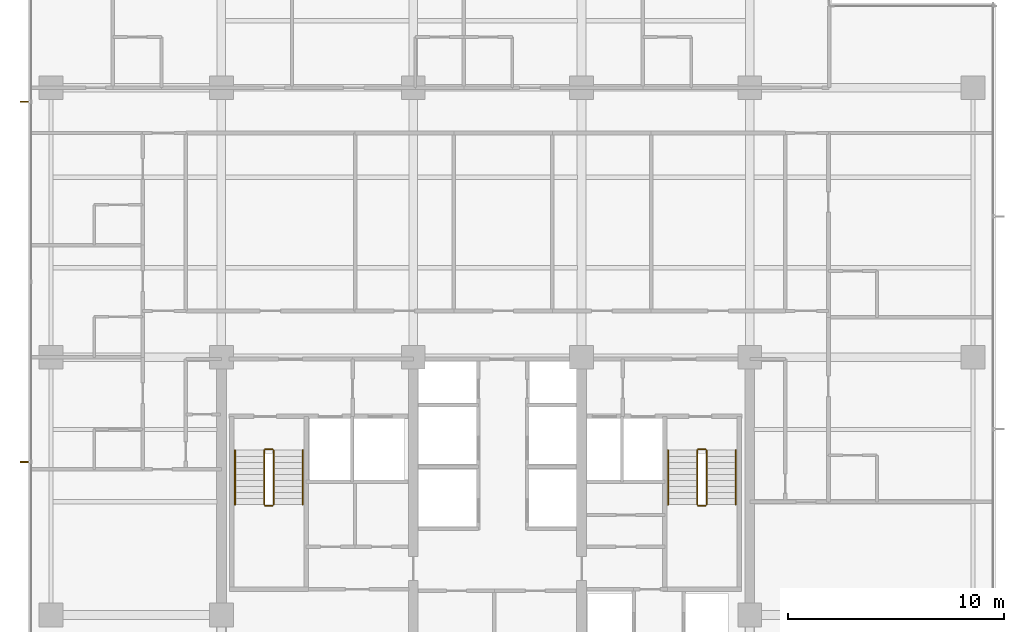
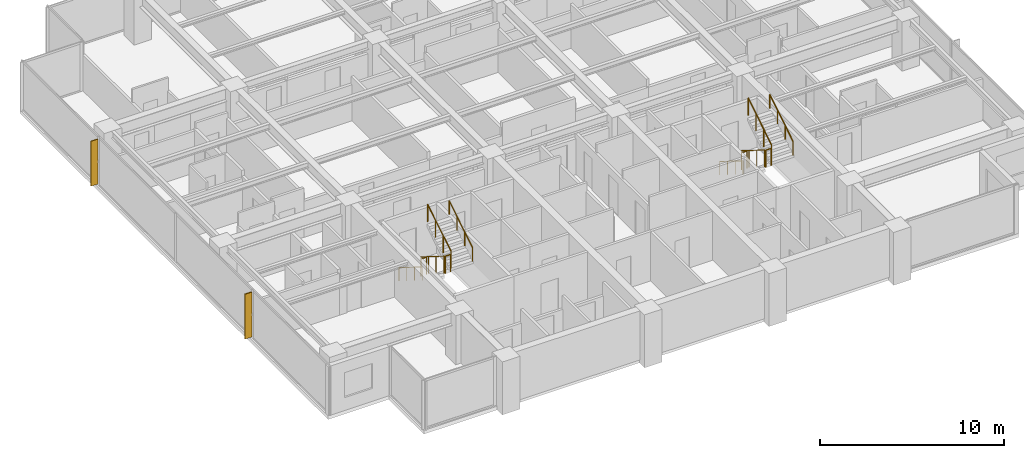
# One storey, part 15 of 16: 12 railings, 2 shading devices.
"""IFC4 building model written with IfcOpenShell, lengths in metres."""

from ifc_helpers import new_model, si_unit, direction, frame, origin, origin_2d, place, context, subcontext, project, spatial, polyline, circle, outline, extrude, material, layer, layer_set, type_object, element, save


model = new_model("IFC4")

# Units and contexts
model_context = context("Model", 3, precision=1e-05, world=origin(), true_north=direction((0.0, 1.0)))
body_context = subcontext(model_context, "Body", "Model", "MODEL_VIEW")
ifc_project = project(units=[si_unit("LENGTHUNIT", "METRE"), si_unit("AREAUNIT", "SQUARE_METRE"), si_unit("VOLUMEUNIT", "CUBIC_METRE"), si_unit("PLANEANGLEUNIT", "RADIAN"), si_unit("MASSUNIT", "GRAM", prefix="KILO")], contexts=[model_context])

# Site, building, storey
site_placement = place(None, origin())
site = spatial("IfcSite", under=ifc_project, at=site_placement, CompositionType="ELEMENT")
building_placement = place(site_placement, origin())
building = spatial("IfcBuilding", under=site, at=building_placement, Name="Qalmaran Belvedere Hotel", CompositionType="ELEMENT")
storey_placement = place(building_placement, frame((0.0, 0.0, 145.60009765625)))
storey = spatial("IfcBuildingStorey", under=building, at=storey_placement, Name="L36", CompositionType="ELEMENT", Elevation=145.60009765625)

# Shading devices
ifc_material_1 = material(Name="Anodised Bronze Aluminium", Category="aluminium")
ifc_layer = layer(ifc_material_1, 0.06494140625, Name="Anodised Bronze Aluminium")
ifc_layer_set = layer_set([ifc_layer], Name="Anodised Bronze Aluminium")
shading_device_type = type_object("IfcShadingDeviceType", Name="FIN-BRNZ-420", PredefinedType="USERDEFINED", material=ifc_layer_set)
shading_device_1_placement = place(storey_placement, frame((0.0, 0.0, 0.159912109375)))
element("IfcShadingDevice", 1, at=shading_device_1_placement, inside=storey, type_object=shading_device_type, Name="L36 Bronze Fin 1", ObjectType="FIN", PredefinedType="USERDEFINED", context=body_context, shape_type="SweptSolid", body=[
    extrude(outline(polyline([(11.3798828125, 32.382568359375), (10.9599609375, 32.382568359375), (10.9599609375, 32.3173828125), (11.3798828125, 32.3173828125), (11.3798828125, 32.382568359375)])), origin(), (0.0, 0.0, 1.0), 2.969970703125),
])
shading_device_2_placement = place(storey_placement, frame((0.0, 0.0, 0.159912109375)))
element("IfcShadingDevice", 2, at=shading_device_2_placement, inside=storey, type_object=shading_device_type, Name="L36 Bronze Fin 3", ObjectType="FIN", PredefinedType="USERDEFINED", context=body_context, shape_type="SweptSolid", body=[
    extrude(outline(polyline([(11.3798828125, 15.6826171875), (10.9599609375, 15.6826171875), (10.9599609375, 15.617431640625), (11.3798828125, 15.617431640625), (11.3798828125, 15.6826171875)])), origin(), (0.0, 0.0, 1.0), 2.969970703125),
])

# Railings
ifc_material_2 = material(Name="Stainless Steel 1.4401", Category="steel")
railing_type_1 = type_object("IfcRailingType", Name="RLG-STAIR-GUARD-1150", PredefinedType="GUARDRAIL", material=ifc_material_2)
railing_1_placement = place(storey_placement, frame((22.280029296875, 16.18994140625, 0.1748046875)))
element("IfcRailing", 3, at=railing_1_placement, inside=storey, type_object=railing_type_1, Name="L36 ST-1 stair guard 1", PredefinedType="GUARDRAIL", context=body_context, shape_type="SweptSolid", body=[
    extrude(circle(Radius=0.02392578125, at=origin_2d()), frame((0.0, 0.0, 1.1259765625), z_axis=(0.0, -0.847970611238, 0.530043245855), x_axis=(1.0, 0.0, 0.0)), (0.0, 0.0, 1.0), 2.971923828125),
    extrude(circle(Radius=0.02099609375, at=origin_2d()), origin(), (0.0, 0.0, 1.0), 1.101806640625),
    extrude(circle(Radius=0.02099609375, at=origin_2d()), frame((0.0, -0.840087890625, 0.525146484375)), (0.0, 0.0, 1.0), 1.101806640625),
    extrude(circle(Radius=0.02099609375, at=origin_2d()), frame((0.0, -1.679931640625, 1.050048828125)), (0.0, 0.0, 1.0), 1.101806640625),
    extrude(circle(Radius=0.02099609375, at=origin_2d()), frame((0.0, -2.52001953125, 1.5751953125)), (0.0, 0.0, 1.0), 1.101806640625),
])
railing_2_placement = place(storey_placement, frame((22.330078125, 13.6201171875, 1.75)))
element("IfcRailing", 4, at=railing_2_placement, inside=storey, type_object=railing_type_1, Name="L36 ST-1 stair guard 2", PredefinedType="GUARDRAIL", context=body_context, shape_type="SweptSolid", body=[
    extrude(circle(Radius=0.02392578125, at=origin_2d()), frame((0.0, 0.0, 1.1259765625), z_axis=(1.0, 0.0, 0.0), x_axis=(0.0, 1.0, 0.0)), (0.0, 0.0, 1.0), 0.33984375),
    extrude(circle(Radius=0.02099609375, at=origin_2d()), origin(), (0.0, 0.0, 1.0), 1.101806640625),
    extrude(circle(Radius=0.02099609375, at=origin_2d()), frame((0.33984375, 0.0, 0.0)), (0.0, 0.0, 1.0), 1.101806640625),
])
railing_3_placement = place(storey_placement, frame((22.719970703125, 13.669921875, 1.9248046875)))
element("IfcRailing", 5, at=railing_3_placement, inside=storey, type_object=railing_type_1, Name="L36 ST-1 stair guard 3", PredefinedType="GUARDRAIL", context=body_context, shape_type="SweptSolid", body=[
    extrude(circle(Radius=0.02392578125, at=origin_2d()), frame((0.0, 0.0, 1.1259765625), z_axis=(0.0, 0.847970611238, 0.530043245855), x_axis=(-1.0, 0.0, 0.0)), (0.0, 0.0, 1.0), 2.971923828125),
    extrude(circle(Radius=0.02099609375, at=origin_2d()), origin(), (0.0, 0.0, 1.0), 1.101806640625),
    extrude(circle(Radius=0.02099609375, at=origin_2d()), frame((0.0, 0.840087890625, 0.525146484375)), (0.0, 0.0, 1.0), 1.101806640625),
    extrude(circle(Radius=0.02099609375, at=origin_2d()), frame((0.0, 1.679931640625, 1.050048828125)), (0.0, 0.0, 1.0), 1.101806640625),
    extrude(circle(Radius=0.02099609375, at=origin_2d()), frame((0.0, 2.52001953125, 1.5751953125)), (0.0, 0.0, 1.0), 1.101806640625),
])
railing_4_placement = place(storey_placement, frame((22.330078125, 16.239990234375, 0.0)))
element("IfcRailing", 6, at=railing_4_placement, inside=storey, type_object=railing_type_1, Name="L36 ST-1 stair guard 4", PredefinedType="GUARDRAIL", context=body_context, shape_type="SweptSolid", body=[
    extrude(circle(Radius=0.02392578125, at=origin_2d()), frame((0.0, 0.0, 1.1259765625), z_axis=(1.0, 0.0, 0.0), x_axis=(0.0, 1.0, 0.0)), (0.0, 0.0, 1.0), 0.33984375),
    extrude(circle(Radius=0.02099609375, at=origin_2d()), origin(), (0.0, 0.0, 1.0), 1.101806640625),
    extrude(circle(Radius=0.02099609375, at=origin_2d()), frame((0.33984375, 0.0, 0.0)), (0.0, 0.0, 1.0), 1.101806640625),
])
railing_5_placement = place(storey_placement, frame((42.360107421875, 16.18994140625, 0.1748046875)))
element("IfcRailing", 7, at=railing_5_placement, inside=storey, type_object=railing_type_1, Name="L36 ST-2 stair guard 1", PredefinedType="GUARDRAIL", context=body_context, shape_type="SweptSolid", body=[
    extrude(circle(Radius=0.02392578125, at=origin_2d()), frame((0.0, 0.0, 1.1259765625), z_axis=(0.0, -0.847970611238, 0.530043245855), x_axis=(1.0, 0.0, 0.0)), (0.0, 0.0, 1.0), 2.971923828125),
    extrude(circle(Radius=0.02099609375, at=origin_2d()), origin(), (0.0, 0.0, 1.0), 1.101806640625),
    extrude(circle(Radius=0.02099609375, at=origin_2d()), frame((0.0, -0.840087890625, 0.525146484375)), (0.0, 0.0, 1.0), 1.101806640625),
    extrude(circle(Radius=0.02099609375, at=origin_2d()), frame((0.0, -1.679931640625, 1.050048828125)), (0.0, 0.0, 1.0), 1.101806640625),
    extrude(circle(Radius=0.02099609375, at=origin_2d()), frame((0.0, -2.52001953125, 1.5751953125)), (0.0, 0.0, 1.0), 1.101806640625),
])
railing_6_placement = place(storey_placement, frame((42.409912109375, 13.6201171875, 1.75)))
element("IfcRailing", 8, at=railing_6_placement, inside=storey, type_object=railing_type_1, Name="L36 ST-2 stair guard 2", PredefinedType="GUARDRAIL", context=body_context, shape_type="SweptSolid", body=[
    extrude(circle(Radius=0.02392578125, at=origin_2d()), frame((0.0, 0.0, 1.1259765625), z_axis=(1.0, 0.0, 0.0), x_axis=(0.0, 1.0, 0.0)), (0.0, 0.0, 1.0), 0.340087890625),
    extrude(circle(Radius=0.02099609375, at=origin_2d()), origin(), (0.0, 0.0, 1.0), 1.101806640625),
    extrude(circle(Radius=0.02099609375, at=origin_2d()), frame((0.340087890625, 0.0, 0.0)), (0.0, 0.0, 1.0), 1.101806640625),
])
railing_7_placement = place(storey_placement, frame((42.800048828125, 13.669921875, 1.9248046875)))
element("IfcRailing", 9, at=railing_7_placement, inside=storey, type_object=railing_type_1, Name="L36 ST-2 stair guard 3", PredefinedType="GUARDRAIL", context=body_context, shape_type="SweptSolid", body=[
    extrude(circle(Radius=0.02392578125, at=origin_2d()), frame((0.0, 0.0, 1.1259765625), z_axis=(0.0, 0.847970611238, 0.530043245855), x_axis=(-1.0, 0.0, 0.0)), (0.0, 0.0, 1.0), 2.971923828125),
    extrude(circle(Radius=0.02099609375, at=origin_2d()), origin(), (0.0, 0.0, 1.0), 1.101806640625),
    extrude(circle(Radius=0.02099609375, at=origin_2d()), frame((0.0, 0.840087890625, 0.525146484375)), (0.0, 0.0, 1.0), 1.101806640625),
    extrude(circle(Radius=0.02099609375, at=origin_2d()), frame((0.0, 1.679931640625, 1.050048828125)), (0.0, 0.0, 1.0), 1.101806640625),
    extrude(circle(Radius=0.02099609375, at=origin_2d()), frame((0.0, 2.52001953125, 1.5751953125)), (0.0, 0.0, 1.0), 1.101806640625),
])
railing_8_placement = place(storey_placement, frame((42.409912109375, 16.239990234375, 0.0)))
element("IfcRailing", 10, at=railing_8_placement, inside=storey, type_object=railing_type_1, Name="L36 ST-2 stair guard 4", PredefinedType="GUARDRAIL", context=body_context, shape_type="SweptSolid", body=[
    extrude(circle(Radius=0.02392578125, at=origin_2d()), frame((0.0, 0.0, 1.1259765625), z_axis=(1.0, 0.0, 0.0), x_axis=(0.0, 1.0, 0.0)), (0.0, 0.0, 1.0), 0.340087890625),
    extrude(circle(Radius=0.02099609375, at=origin_2d()), origin(), (0.0, 0.0, 1.0), 1.101806640625),
    extrude(circle(Radius=0.02099609375, at=origin_2d()), frame((0.340087890625, 0.0, 0.0)), (0.0, 0.0, 1.0), 1.101806640625),
])
railing_type_2 = type_object("IfcRailingType", Name="RLG-STAIR-HAND-910", PredefinedType="HANDRAIL", material=ifc_material_2)
railing_9_placement = place(storey_placement, frame((20.929931640625, 16.18994140625, 0.1748046875)))
element("IfcRailing", 11, at=railing_9_placement, inside=storey, type_object=railing_type_2, Name="L36 ST-1 stair handrail 1", PredefinedType="HANDRAIL", context=body_context, shape_type="SweptSolid", body=[
    extrude(circle(Radius=0.02392578125, at=origin_2d()), frame((0.0, 0.0, 0.8857421875), z_axis=(0.0, -0.847970611238, 0.530043245855), x_axis=(1.0, 0.0, 0.0)), (0.0, 0.0, 1.0), 2.971923828125),
    extrude(circle(Radius=0.02099609375, at=origin_2d()), origin(), (0.0, 0.0, 1.0), 0.86181640625),
    extrude(circle(Radius=0.02099609375, at=origin_2d()), frame((0.0, -0.840087890625, 0.525146484375)), (0.0, 0.0, 1.0), 0.86181640625),
    extrude(circle(Radius=0.02099609375, at=origin_2d()), frame((0.0, -1.679931640625, 1.050048828125)), (0.0, 0.0, 1.0), 0.86181640625),
    extrude(circle(Radius=0.02099609375, at=origin_2d()), frame((0.0, -2.52001953125, 1.5751953125)), (0.0, 0.0, 1.0), 0.86181640625),
])
railing_10_placement = place(storey_placement, frame((24.070068359375, 13.669921875, 1.9248046875)))
element("IfcRailing", 12, at=railing_10_placement, inside=storey, type_object=railing_type_2, Name="L36 ST-1 stair handrail 2", PredefinedType="HANDRAIL", context=body_context, shape_type="SweptSolid", body=[
    extrude(circle(Radius=0.02392578125, at=origin_2d()), frame((0.0, 0.0, 0.8857421875), z_axis=(0.0, 0.847970611238, 0.530043245855), x_axis=(-1.0, 0.0, 0.0)), (0.0, 0.0, 1.0), 2.971923828125),
    extrude(circle(Radius=0.02099609375, at=origin_2d()), origin(), (0.0, 0.0, 1.0), 0.86181640625),
    extrude(circle(Radius=0.02099609375, at=origin_2d()), frame((0.0, 0.840087890625, 0.525146484375)), (0.0, 0.0, 1.0), 0.86181640625),
    extrude(circle(Radius=0.02099609375, at=origin_2d()), frame((0.0, 1.679931640625, 1.050048828125)), (0.0, 0.0, 1.0), 0.86181640625),
    extrude(circle(Radius=0.02099609375, at=origin_2d()), frame((0.0, 2.52001953125, 1.5751953125)), (0.0, 0.0, 1.0), 0.86181640625),
])
railing_11_placement = place(storey_placement, frame((41.010009765625, 16.18994140625, 0.1748046875)))
element("IfcRailing", 13, at=railing_11_placement, inside=storey, type_object=railing_type_2, Name="L36 ST-2 stair handrail 1", PredefinedType="HANDRAIL", context=body_context, shape_type="SweptSolid", body=[
    extrude(circle(Radius=0.02392578125, at=origin_2d()), frame((0.0, 0.0, 0.8857421875), z_axis=(0.0, -0.847970611238, 0.530043245855), x_axis=(1.0, 0.0, 0.0)), (0.0, 0.0, 1.0), 2.971923828125),
    extrude(circle(Radius=0.02099609375, at=origin_2d()), origin(), (0.0, 0.0, 1.0), 0.86181640625),
    extrude(circle(Radius=0.02099609375, at=origin_2d()), frame((0.0, -0.840087890625, 0.525146484375)), (0.0, 0.0, 1.0), 0.86181640625),
    extrude(circle(Radius=0.02099609375, at=origin_2d()), frame((0.0, -1.679931640625, 1.050048828125)), (0.0, 0.0, 1.0), 0.86181640625),
    extrude(circle(Radius=0.02099609375, at=origin_2d()), frame((0.0, -2.52001953125, 1.5751953125)), (0.0, 0.0, 1.0), 0.86181640625),
])
railing_12_placement = place(storey_placement, frame((44.14990234375, 13.669921875, 1.9248046875)))
element("IfcRailing", 14, at=railing_12_placement, inside=storey, type_object=railing_type_2, Name="L36 ST-2 stair handrail 2", PredefinedType="HANDRAIL", context=body_context, shape_type="SweptSolid", body=[
    extrude(circle(Radius=0.02392578125, at=origin_2d()), frame((0.0, 0.0, 0.8857421875), z_axis=(0.0, 0.847970611238, 0.530043245855), x_axis=(-1.0, 0.0, 0.0)), (0.0, 0.0, 1.0), 2.971923828125),
    extrude(circle(Radius=0.02099609375, at=origin_2d()), origin(), (0.0, 0.0, 1.0), 0.86181640625),
    extrude(circle(Radius=0.02099609375, at=origin_2d()), frame((0.0, 0.840087890625, 0.525146484375)), (0.0, 0.0, 1.0), 0.86181640625),
    extrude(circle(Radius=0.02099609375, at=origin_2d()), frame((0.0, 1.679931640625, 1.050048828125)), (0.0, 0.0, 1.0), 0.86181640625),
    extrude(circle(Radius=0.02099609375, at=origin_2d()), frame((0.0, 2.52001953125, 1.5751953125)), (0.0, 0.0, 1.0), 0.86181640625),
])

save(model, "model.ifc")
